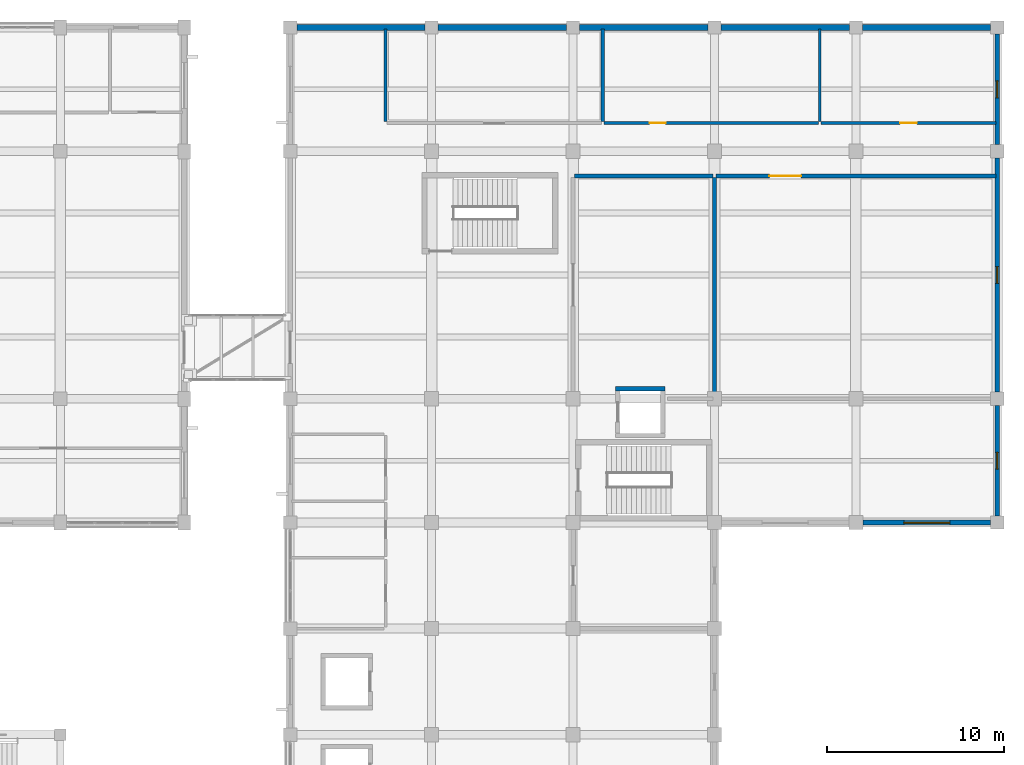
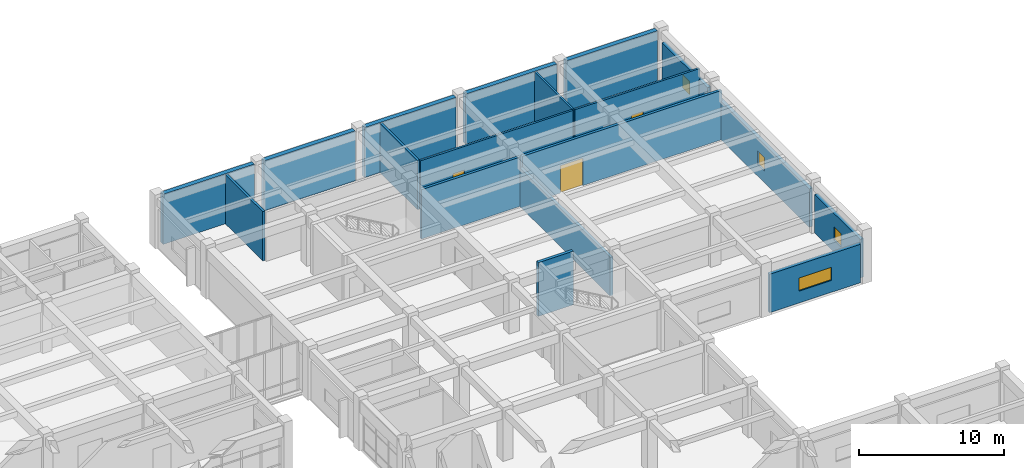
# One storey, part 56 of 70: 18 walls, 4 windows, 3 doors, 7 openings.
"""IFC4 building model written with IfcOpenShell, lengths in metres."""

from ifc_helpers import new_model, si_unit, direction, frame, frame_2d, origin, place, context, subcontext, project, spatial, rectangle, extrude, material, layer, layer_set, type_object, element, fill, save


model = new_model("IFC4")

# Units and contexts
model_context = context("Model", 3, precision=1e-05, world=origin(), true_north=direction((0.0, 1.0)))
body_context = subcontext(model_context, "Body", "Model", "MODEL_VIEW")
ifc_project = project(units=[si_unit("LENGTHUNIT", "METRE"), si_unit("AREAUNIT", "SQUARE_METRE"), si_unit("VOLUMEUNIT", "CUBIC_METRE"), si_unit("PLANEANGLEUNIT", "RADIAN"), si_unit("MASSUNIT", "GRAM", prefix="KILO")], contexts=[model_context])

# Site, building, storey
site_placement = place(None, origin())
site = spatial("IfcSite", under=ifc_project, at=site_placement, CompositionType="ELEMENT")
building_placement = place(site_placement, origin())
building = spatial("IfcBuilding", under=site, at=building_placement, Name="Naurynzar Civic Courthouse", CompositionType="ELEMENT")
storey_placement = place(building_placement, frame((0.0, 0.0, 5.39990234375)))
storey = spatial("IfcBuildingStorey", under=building, at=storey_placement, Name="L02", CompositionType="ELEMENT", Elevation=5.39990234375)

# Wall
ifc_material_1 = material(Name="Acoustic Double-Stud Gypsum Partition")
ifc_layer_1 = layer(ifc_material_1, 0.2099609375)
ifc_layer_set_1 = layer_set([ifc_layer_1], Name="WL-ACOUSTIC-210")
wall_type_1 = type_object("IfcWallType", Name="WL-ACOUSTIC-210", PredefinedType="PARTITIONING", material=ifc_layer_set_1)
wall_1_placement = place(storey_placement, frame((146.080078125, 63.60009765625, 0.0), z_axis=(0.0, 0.0, 1.0), x_axis=(1.0, 0.0, 0.0)))
element("IfcWall", 1, at=wall_1_placement, inside=storey, type_object=wall_type_1, Name="V5 interior partition L02.232", PredefinedType="PARTITIONING", context=body_context, shape_type="SweptSolid", body=[
    extrude(rectangle(XDim=7.83984375, YDim=0.2099609375, at=frame_2d((3.919921875, 0.0))), origin(), (0.0, 0.0, 1.0), 4.14013671875),
])

# Wall, opening, door
ifc_material_2 = material(Name="Acoustic Double-Stud Gypsum Partition")
ifc_layer_2 = layer(ifc_material_2, 0.215087890625)
ifc_layer_set_2 = layer_set([ifc_layer_2], Name="WL-ACOUSTIC-215")
wall_type_2 = type_object("IfcWallType", Name="WL-ACOUSTIC-215", PredefinedType="PARTITIONING", material=ifc_layer_set_2)
wall_2_placement = place(storey_placement, frame((154.080078125, 63.60009765625, 0.0), z_axis=(0.0, 0.0, 1.0), x_axis=(1.0, 0.0, 0.0)))
wall_2 = element("IfcWall", 2, at=wall_2_placement, inside=storey, type_object=wall_type_2, Name="V5 interior partition L02.233", PredefinedType="PARTITIONING", context=body_context, shape_type="SweptSolid", body=[
    extrude(rectangle(XDim=15.83984375, YDim=0.215087890625, at=frame_2d((7.919921875, 0.0))), origin(), (0.0, 0.0, 1.0), 4.14013671875),
])
opening_1_placement = place(wall_2_placement, frame((3.02001953125, 0.0, 0.0)))
opening_1 = element("IfcOpeningElement", 3, at=opening_1_placement, cuts=wall_2, Name="Opening D-298", PredefinedType="OPENING", context=body_context, shape_type="SweptSolid", body=[
    extrude(rectangle(XDim=1.800048828125, YDim=2.300048828125, at=frame_2d((0.89990234375, 1.14990234375))), frame((0.0, 0.117431640625, 0.0), z_axis=(0.0, -1.0, 0.0), x_axis=(1.0, 0.0, 0.0)), (0.0, 0.0, 1.0), 0.235107421875),
])
ifc_material_3 = material(Name="Acoustic Oak Timber Grade A", Category="wood")
door_type_1 = type_object("IfcDoorType", Name="DR-COURT-DBL-1800x2300", OperationType="DOUBLE_DOOR_SINGLE_SWING", PredefinedType="DOOR", material=ifc_material_3)
door_1_placement = place(opening_1_placement, origin())
door_1 = element("IfcDoor", 4, at=door_1_placement, inside=storey, type_object=door_type_1, Name="Interior door D-298 (Criminal Trial Courtroom L02-N2)", OperationType="DOUBLE_DOOR_SINGLE_SWING", OverallHeight=2.300048828125, OverallWidth=1.800048828125, PredefinedType="DOOR", context=body_context, shape_type="SweptSolid", body=[
    extrude(rectangle(XDim=1.800048828125, YDim=2.300048828125, at=frame_2d((0.89990234375, 1.14990234375))), frame((0.0, 0.02490234375, 0.0), z_axis=(0.0, -1.0, 0.0), x_axis=(1.0, 0.0, 0.0)), (0.0, 0.0, 1.0), 0.050048828125),
])
fill(opening_1, door_1)

# Wall
wall_3_placement = place(storey_placement, frame((154.0, 51.080078125, 0.0), z_axis=(0.0, 0.0, 1.0), x_axis=(0.0, 1.0, 0.0)))
element("IfcWall", 5, at=wall_3_placement, inside=storey, type_object=wall_type_2, Name="V5 interior partition L02.303", PredefinedType="PARTITIONING", context=body_context, shape_type="SweptSolid", body=[
    extrude(rectangle(XDim=12.43994140625, YDim=0.215087890625, at=frame_2d((6.219970703125, 0.0))), origin(), (0.0, 0.0, 1.0), 3.25),
])

# Wall, opening, window
ifc_material_4 = material(Name="Precast concrete C40/50", Category="concrete")
ifc_layer_3 = layer(ifc_material_4, 0.260009765625)
ifc_layer_set_3 = layer_set([ifc_layer_3], Name="WL-EXT-260")
wall_type_3 = type_object("IfcWallType", Name="WL-EXT-260", PredefinedType="SOLIDWALL", material=ifc_layer_set_3)
wall_4_placement = place(storey_placement, frame((170.0, 71.625, 0.0), z_axis=(0.0, 0.0, 1.0), x_axis=(0.0, -1.0, 0.0)))
wall_4 = element("IfcWall", 6, at=wall_4_placement, inside=storey, type_object=wall_type_3, Name="V5 exterior wall east_north L02.1.1", PredefinedType="SOLIDWALL", context=body_context, shape_type="SweptSolid", body=[
    extrude(rectangle(XDim=6.25, YDim=0.260009765625, at=frame_2d((3.125, 0.0))), origin(), (0.0, 0.0, 1.0), 3.22998046875),
])
opening_2_placement = place(wall_4_placement, frame((2.64990234375, 0.0, 1.0)))
opening_2 = element("IfcOpeningElement", 7, at=opening_2_placement, cuts=wall_4, Name="Opening WN-16", PredefinedType="OPENING", context=body_context, shape_type="SweptSolid", body=[
    extrude(rectangle(XDim=0.949951171875, YDim=1.10009765625, at=frame_2d((0.47509765625, 0.550048828125))), frame((0.0, 0.139892578125, 0.0), z_axis=(0.0, -1.0, 0.0), x_axis=(1.0, 0.0, 0.0)), (0.0, 0.0, 1.0), 0.280029296875),
])
ifc_material_5 = material(Name="Tempered Laminated Low-E Glass", Category="glass")
window_type_1 = type_object("IfcWindowType", Name="WIN-SEC-950x1100", PartitioningType="SINGLE_PANEL", PredefinedType="WINDOW", material=ifc_material_5)
window_1_placement = place(opening_2_placement, origin())
window_1 = element("IfcWindow", 8, at=window_1_placement, inside=storey, type_object=window_type_1, Name="V5 window 266 L02", OverallHeight=1.10009765625, OverallWidth=0.949951171875, PartitioningType="SINGLE_PANEL", PredefinedType="WINDOW", context=body_context, shape_type="SweptSolid", body=[
    extrude(rectangle(XDim=0.949951171875, YDim=1.10009765625, at=frame_2d((0.47509765625, 0.550048828125))), frame((0.0, 0.030029296875, 0.0), z_axis=(0.0, -1.0, 0.0), x_axis=(1.0, 0.0, 0.0)), (0.0, 0.0, 1.0), 0.06005859375),
])
fill(opening_2, window_1)

wall_5_placement = place(storey_placement, frame((170.0, 64.625, 0.0), z_axis=(0.0, 0.0, 1.0), x_axis=(0.0, -1.0, 0.0)))
wall_5 = element("IfcWall", 9, at=wall_5_placement, inside=storey, type_object=wall_type_3, Name="V5 exterior wall east_north L02.2.1", PredefinedType="SOLIDWALL", context=body_context, shape_type="SweptSolid", body=[
    extrude(rectangle(XDim=13.25, YDim=0.260009765625, at=frame_2d((6.625, 0.0))), origin(), (0.0, 0.0, 1.0), 3.22998046875),
])
opening_3_placement = place(wall_5_placement, frame((6.14990234375, 0.0, 1.0)))
opening_3 = element("IfcOpeningElement", 10, at=opening_3_placement, cuts=wall_5, Name="Opening WN-16", PredefinedType="OPENING", context=body_context, shape_type="SweptSolid", body=[
    extrude(rectangle(XDim=0.949951171875, YDim=1.10009765625, at=frame_2d((0.47509765625, 0.550048828125))), frame((0.0, 0.139892578125, 0.0), z_axis=(0.0, -1.0, 0.0), x_axis=(1.0, 0.0, 0.0)), (0.0, 0.0, 1.0), 0.280029296875),
])
window_2_placement = place(opening_3_placement, origin())
window_2 = element("IfcWindow", 11, at=window_2_placement, inside=storey, type_object=window_type_1, Name="V5 window 267 L02", OverallHeight=1.10009765625, OverallWidth=0.949951171875, PartitioningType="SINGLE_PANEL", PredefinedType="WINDOW", context=body_context, shape_type="SweptSolid", body=[
    extrude(rectangle(XDim=0.949951171875, YDim=1.10009765625, at=frame_2d((0.47509765625, 0.550048828125))), frame((0.0, 0.030029296875, 0.0), z_axis=(0.0, -1.0, 0.0), x_axis=(1.0, 0.0, 0.0)), (0.0, 0.0, 1.0), 0.06005859375),
])
fill(opening_3, window_2)

wall_6_placement = place(storey_placement, frame((170.0, 50.625, 0.0), z_axis=(0.0, 0.0, 1.0), x_axis=(0.0, -1.0, 0.0)))
wall_6 = element("IfcWall", 12, at=wall_6_placement, inside=storey, type_object=wall_type_3, Name="V5 exterior wall east_north L02.3.1", PredefinedType="SOLIDWALL", context=body_context, shape_type="SweptSolid", body=[
    extrude(rectangle(XDim=6.25, YDim=0.260009765625, at=frame_2d((3.125, 0.0))), origin(), (0.0, 0.0, 1.0), 3.22998046875),
])
opening_4_placement = place(wall_6_placement, frame((2.64990234375, 0.0, 1.0)))
opening_4 = element("IfcOpeningElement", 13, at=opening_4_placement, cuts=wall_6, Name="Opening WN-16", PredefinedType="OPENING", context=body_context, shape_type="SweptSolid", body=[
    extrude(rectangle(XDim=0.949951171875, YDim=1.10009765625, at=frame_2d((0.47509765625, 0.550048828125))), frame((0.0, 0.139892578125, 0.0), z_axis=(0.0, -1.0, 0.0), x_axis=(1.0, 0.0, 0.0)), (0.0, 0.0, 1.0), 0.280029296875),
])
window_3_placement = place(opening_4_placement, origin())
window_3 = element("IfcWindow", 14, at=window_3_placement, inside=storey, type_object=window_type_1, Name="V5 window 268 L02", OverallHeight=1.10009765625, OverallWidth=0.949951171875, PartitioningType="SINGLE_PANEL", PredefinedType="WINDOW", context=body_context, shape_type="SweptSolid", body=[
    extrude(rectangle(XDim=0.949951171875, YDim=1.10009765625, at=frame_2d((0.47509765625, 0.550048828125))), frame((0.0, 0.030029296875, 0.0), z_axis=(0.0, -1.0, 0.0), x_axis=(1.0, 0.0, 0.0)), (0.0, 0.0, 1.0), 0.06005859375),
])
fill(opening_4, window_3)

wall_7_placement = place(storey_placement, frame((169.625, 44.0, 0.0), z_axis=(0.0, 0.0, 1.0), x_axis=(-1.0, 0.0, 0.0)))
wall_7 = element("IfcWall", 15, at=wall_7_placement, inside=storey, type_object=wall_type_3, Name="V5 exterior wall notch_n L02.1.1", PredefinedType="SOLIDWALL", context=body_context, shape_type="SweptSolid", body=[
    extrude(rectangle(XDim=7.22509765625, YDim=0.260009765625, at=frame_2d((3.612548828125, 0.0))), origin(), (0.0, 0.0, 1.0), 3.22998046875),
])
opening_5_placement = place(wall_7_placement, frame((2.3125, 0.0, 1.0)))
opening_5 = element("IfcOpeningElement", 16, at=opening_5_placement, cuts=wall_7, Name="Opening WN-17", PredefinedType="OPENING", context=body_context, shape_type="SweptSolid", body=[
    extrude(rectangle(XDim=2.60009765625, YDim=1.10009765625, at=frame_2d((1.300048828125, 0.550048828125))), frame((0.0, 0.139892578125, 0.0), z_axis=(0.0, -1.0, 0.0), x_axis=(1.0, 0.0, 0.0)), (0.0, 0.0, 1.0), 0.280029296875),
])
ifc_material_6 = material(Name="Tempered Laminated Low-E Glass", Category="glass")
window_type_2 = type_object("IfcWindowType", Name="WIN-CLER-2600x1100", PartitioningType="DOUBLE_PANEL_VERTICAL", PredefinedType="WINDOW", material=ifc_material_6)
window_4_placement = place(opening_5_placement, origin())
window_4 = element("IfcWindow", 17, at=window_4_placement, inside=storey, type_object=window_type_2, Name="V5 window 269 L02", OverallHeight=1.10009765625, OverallWidth=2.60009765625, PartitioningType="SINGLE_PANEL", PredefinedType="WINDOW", context=body_context, shape_type="SweptSolid", body=[
    extrude(rectangle(XDim=2.60009765625, YDim=1.10009765625, at=frame_2d((1.300048828125, 0.550048828125))), frame((0.0, 0.030029296875, 0.0), z_axis=(0.0, -1.0, 0.0), x_axis=(1.0, 0.0, 0.0)), (0.0, 0.0, 1.0), 0.06005859375),
])
fill(opening_5, window_4)

# Wall, opening, door
ifc_material_7 = material(Name="Insulated Metal-Stud Gypsum Partition")
ifc_layer_4 = layer(ifc_material_7, 0.159912109375)
ifc_layer_set_4 = layer_set([ifc_layer_4], Name="WL-PART-CHAMB-160")
wall_type_4 = type_object("IfcWallType", Name="WL-PART-CHAMB-160", PredefinedType="PARTITIONING", material=ifc_layer_set_4)
wall_8_placement = place(storey_placement, frame((147.760009765625, 66.60009765625, 0.0), z_axis=(0.0, 0.0, 1.0), x_axis=(1.0, 0.0, 0.0)))
wall_8 = element("IfcWall", 18, at=wall_8_placement, inside=storey, type_object=wall_type_4, Name="V5 interior partition L02.242", PredefinedType="PARTITIONING", context=body_context, shape_type="SweptSolid", body=[
    extrude(rectangle(XDim=12.110107421875, YDim=0.159912109375, at=frame_2d((6.05517578125, 0.0))), origin(), (0.0, 0.0, 1.0), 4.14013671875),
])
opening_6_placement = place(wall_8_placement, frame((2.570068359375, 0.0, 0.0)))
opening_6 = element("IfcOpeningElement", 19, at=opening_6_placement, cuts=wall_8, Name="Opening D-300", PredefinedType="OPENING", context=body_context, shape_type="SweptSolid", body=[
    extrude(rectangle(XDim=0.89990234375, YDim=2.14990234375, at=frame_2d((0.449951171875, 1.074951171875))), frame((0.0, 0.08984375, 0.0), z_axis=(0.0, -1.0, 0.0), x_axis=(1.0, 0.0, 0.0)), (0.0, 0.0, 1.0), 0.179931640625),
])
ifc_material_8 = material(Name="Acoustic Oak Timber Grade A", Category="wood")
door_type_2 = type_object("IfcDoorType", Name="DR-SUITE-900x2150", OperationType="NOTDEFINED", PredefinedType="DOOR", material=ifc_material_8)
door_2_placement = place(opening_6_placement, origin())
door_2 = element("IfcDoor", 20, at=door_2_placement, inside=storey, type_object=door_type_2, Name="Interior door D-300 (Judges' Chambers L02-V5-2)", OperationType="SINGLE_SWING_RIGHT", OverallHeight=2.14990234375, OverallWidth=0.89990234375, PredefinedType="DOOR", context=body_context, shape_type="SweptSolid", body=[
    extrude(rectangle(XDim=0.89990234375, YDim=2.14990234375, at=frame_2d((0.449951171875, 1.074951171875))), frame((0.0, 0.02490234375, 0.0), z_axis=(0.0, -1.0, 0.0), x_axis=(1.0, 0.0, 0.0)), (0.0, 0.0, 1.0), 0.050048828125),
])
fill(opening_6, door_2)

wall_9_placement = place(storey_placement, frame((160.030029296875, 66.60009765625, 0.0), z_axis=(0.0, 0.0, 1.0), x_axis=(1.0, 0.0, 0.0)))
wall_9 = element("IfcWall", 21, at=wall_9_placement, inside=storey, type_object=wall_type_4, Name="V5 interior partition L02.243", PredefinedType="PARTITIONING", context=body_context, shape_type="SweptSolid", body=[
    extrude(rectangle(XDim=9.889892578125, YDim=0.159912109375, at=frame_2d((4.94482421875, 0.0))), origin(), (0.0, 0.0, 1.0), 4.14013671875),
])
opening_7_placement = place(wall_9_placement, frame((4.47509765625, 0.0, 0.0)))
opening_7 = element("IfcOpeningElement", 22, at=opening_7_placement, cuts=wall_9, Name="Opening D-301", PredefinedType="OPENING", context=body_context, shape_type="SweptSolid", body=[
    extrude(rectangle(XDim=0.93994140625, YDim=2.10009765625, at=frame_2d((0.469970703125, 1.050048828125))), frame((0.0, 0.08984375, 0.0), z_axis=(0.0, -1.0, 0.0), x_axis=(1.0, 0.0, 0.0)), (0.0, 0.0, 1.0), 0.179931640625),
])
ifc_material_9 = material(Name="Acoustic Oak Timber Grade A", Category="wood")
door_type_3 = type_object("IfcDoorType", Name="DR-SUITE-940x2100", OperationType="NOTDEFINED", PredefinedType="DOOR", material=ifc_material_9)
door_3_placement = place(opening_7_placement, origin())
door_3 = element("IfcDoor", 23, at=door_3_placement, inside=storey, type_object=door_type_3, Name="Interior door D-301 (Judges' Chambers L02-V5-3)", OperationType="SINGLE_SWING_LEFT", OverallHeight=2.10009765625, OverallWidth=0.93994140625, PredefinedType="DOOR", context=body_context, shape_type="SweptSolid", body=[
    extrude(rectangle(XDim=0.93994140625, YDim=2.10009765625, at=frame_2d((0.469970703125, 1.050048828125))), frame((0.0, 0.02490234375, 0.0), z_axis=(0.0, -1.0, 0.0), x_axis=(1.0, 0.0, 0.0)), (0.0, 0.0, 1.0), 0.050048828125),
])
fill(opening_7, door_3)

# Walls
wall_10_placement = place(storey_placement, frame((159.949951171875, 66.679931640625, 0.0), z_axis=(0.0, 0.0, 1.0), x_axis=(0.0, 1.0, 0.0)))
element("IfcWall", 24, at=wall_10_placement, inside=storey, type_object=wall_type_4, Name="V5 interior partition L02.304", PredefinedType="PARTITIONING", context=body_context, shape_type="SweptSolid", body=[
    extrude(rectangle(XDim=5.239990234375, YDim=0.159912109375, at=frame_2d((2.6201171875, 0.0))), origin(), (0.0, 0.0, 1.0), 4.14013671875),
])
ifc_material_10 = material(Name="Acoustic Double-Stud Gypsum Partition")
ifc_layer_5 = layer(ifc_material_10, 0.179931640625)
ifc_layer_set_5 = layer_set([ifc_layer_5], Name="WL-PART-JURY-180")
wall_type_5 = type_object("IfcWallType", Name="WL-PART-JURY-180", PredefinedType="PARTITIONING", material=ifc_layer_set_5)
for number, where, z_axis, x_axis, name in (
    (25, (135.39990234375, 66.679931640625, 0.0), (0.0, 0.0, 1.0), (0.0, 1.0, 0.0), "V5 interior partition L02.294"),
    (26, (147.679931640625, 66.679931640625, 0.0), (0.0, 0.0, 1.0), (0.0, 1.0, 0.0), "V5 interior partition L02.300"),
):
    element("IfcWall", number, at=place(storey_placement, frame(where, z_axis=z_axis, x_axis=x_axis)), inside=storey, type_object=wall_type_5, Name=name, PredefinedType="PARTITIONING", context=body_context, shape_type="SweptSolid", body=[
        extrude(rectangle(XDim=5.239990234375, YDim=0.179931640625, at=frame_2d((2.6201171875, 0.0))), origin(), (0.0, 0.0, 1.0), 4.14013671875),
    ])
ifc_material_11 = material(Name="Concrete C40/50", Category="concrete")
ifc_layer_6 = layer(ifc_material_11, 0.360107421875)
ifc_layer_set_6 = layer_set([ifc_layer_6], Name="WL-PARTY-360")
wall_type_6 = type_object("IfcWallType", Name="WL-PARTY-360", PredefinedType="SOLIDWALL", material=ifc_layer_set_6)
for number, where, z_axis, x_axis, name in (
    (27, (130.375, 72.0, 0.0), (0.0, 0.0, 1.0), (1.0, 0.0, 0.0), "V5 solid seismic party wall L02 1"),
    (28, (138.375, 72.0, 0.0), (0.0, 0.0, 1.0), (1.0, 0.0, 0.0), "V5 solid seismic party wall L02 2"),
    (29, (146.375, 72.0, 0.0), (0.0, 0.0, 1.0), (1.0, 0.0, 0.0), "V5 solid seismic party wall L02 3"),
    (30, (154.375, 72.0, 0.0), (0.0, 0.0, 1.0), (1.0, 0.0, 0.0), "V5 solid seismic party wall L02 4"),
    (31, (162.375, 72.0, 0.0), (0.0, 0.0, 1.0), (1.0, 0.0, 0.0), "V5 solid seismic party wall L02 5"),
):
    element("IfcWall", number, at=place(storey_placement, frame(where, z_axis=z_axis, x_axis=x_axis)), inside=storey, type_object=wall_type_6, Name=name, PredefinedType="SOLIDWALL", context=body_context, shape_type="SweptSolid", body=[
        extrude(rectangle(XDim=7.25, YDim=0.360107421875, at=frame_2d((3.625, 0.0))), origin(), (0.0, 0.0, 1.0), 4.2001953125),
    ])
ifc_material_12 = material(Name="Concrete C40/50", Category="concrete")
ifc_layer_7 = layer(ifc_material_12, 0.25)
ifc_layer_set_7 = layer_set([ifc_layer_7], Name="WL-SHAFT-250")
wall_type_7 = type_object("IfcWallType", Name="WL-SHAFT-250", PredefinedType="SHEAR", material=ifc_layer_set_7)
wall_11_placement = place(storey_placement, frame((151.199951171875, 51.574951171875, 0.0), z_axis=(0.0, 0.0, 1.0), x_axis=(-1.0, 0.0, 0.0)))
element("IfcWall", 32, at=wall_11_placement, inside=storey, type_object=wall_type_7, Name="Lift LF-CUS shaft wall north L02", PredefinedType="SHEAR", context=body_context, shape_type="SweptSolid", body=[
    extrude(rectangle(XDim=2.800048828125, YDim=0.25, at=frame_2d((1.39990234375, 0.0))), origin(), (0.0, 0.0, 1.0), 4.5),
])

save(model, "model.ifc")
